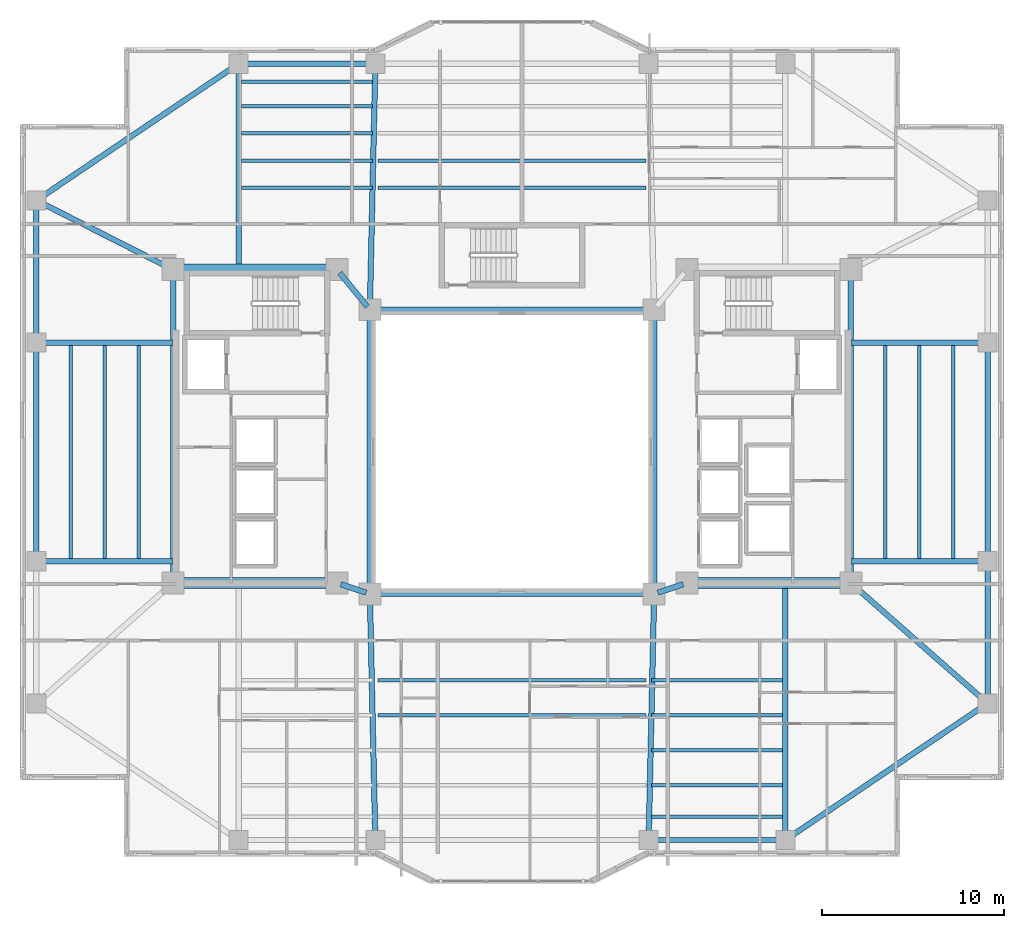
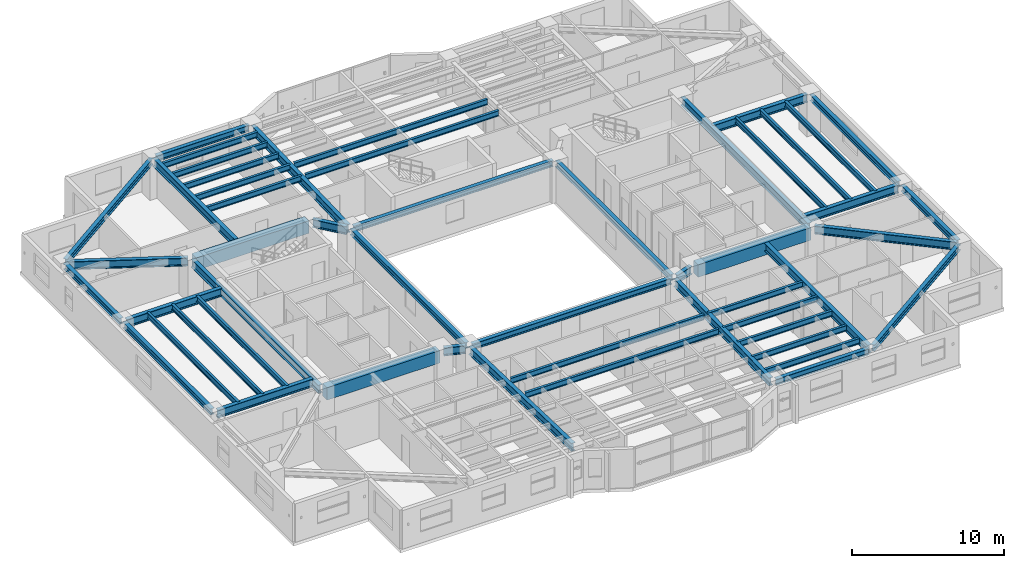
# One storey, part 3 of 18: 51 beams.
"""IFC4 building model written with IfcOpenShell, lengths in metres."""

from ifc_helpers import new_model, si_unit, direction, frame, origin, origin_2d, place, context, subcontext, project, spatial, rectangle, i_section, extrude, material, material_profile, profile_set, type_object, element, save


model = new_model("IFC4")

# Units and contexts
model_context = context("Model", 3, precision=1e-05, world=origin(), true_north=direction((0.0, 1.0)))
body_context = subcontext(model_context, "Body", "Model", "MODEL_VIEW")
ifc_project = project(units=[si_unit("LENGTHUNIT", "METRE"), si_unit("AREAUNIT", "SQUARE_METRE"), si_unit("VOLUMEUNIT", "CUBIC_METRE"), si_unit("PLANEANGLEUNIT", "RADIAN"), si_unit("MASSUNIT", "GRAM", prefix="KILO")], contexts=[model_context])

# Site, building, storey
site_placement = place(None, origin())
site = spatial("IfcSite", under=ifc_project, at=site_placement, CompositionType="ELEMENT")
building_placement = place(site_placement, origin())
building = spatial("IfcBuilding", under=site, at=building_placement, Name="Tarnavaz Court Tower", CompositionType="ELEMENT")
storey_placement = place(building_placement, frame((0.0, 0.0, 85.0)))
storey = spatial("IfcBuildingStorey", under=building, at=storey_placement, Name="L22", CompositionType="ELEMENT", Elevation=85.0)

# Beams
ifc_material_1 = material(Name="Concrete C60/75", Category="concrete")
ifc_material_profile_1 = material_profile(ifc_material_1, rectangle(XDim=0.60009765625, YDim=1.0, at=origin_2d()), Name="RC 600X1000")
ifc_profile_set_1 = profile_set([ifc_material_profile_1], Name="Concrete C60/75")
beam_type_1 = type_object("IfcBeamType", Name="BM-CB1000", PredefinedType="LINTEL", material=ifc_profile_set_1)
for number, where, z_axis, x_axis, name in (
    (1, (-18.3798828125, -7.199951171875, 2.60009765625), (1.0, 0.0, 0.0), (0.0, 1.0, 0.0), "L22 Beam IN-CW-SO-CW-SI"),
    (2, (-18.3798828125, 10.0, 2.60009765625), (1.0, 0.0, 0.0), (0.0, 1.0, 0.0), "L22 Beam IN-CW-NO-CW-NI"),
    (3, (18.3798828125, -7.199951171875, 2.60009765625), (-1.0, 0.0, 0.0), (0.0, -1.0, 0.0), "L22 Beam IN-CE-SO-CE-SI"),
):
    element("IfcBeam", number, at=place(storey_placement, frame(where, z_axis=z_axis, x_axis=x_axis)), inside=storey, type_object=beam_type_1, Name=name, PredefinedType="LINTEL", context=body_context, shape_type="SweptSolid", body=[
        extrude(rectangle(XDim=0.60009765625, YDim=1.0, at=origin_2d()), origin(), (0.0, 0.0, 1.0), 8.559814453125),
    ])
ifc_material_2 = material(Name="Steel S355", Category="steel")
ifc_material_profile_2 = material_profile(ifc_material_2, i_section(OverallWidth=0.300048828125, OverallDepth=0.64990234375, WebThickness=0.01611328125, FlangeThickness=0.031005859375, FilletRadius=0.027099609375, at=origin_2d()), Name="HEB 650")
ifc_profile_set_2 = profile_set([ifc_material_profile_2], Name="Steel S355")
beam_type_2 = type_object("IfcBeamType", Name="BM-G-HEB650", PredefinedType="USERDEFINED", material=ifc_profile_set_2)
for number, where, z_axis, x_axis, name in (
    (4, (-9.391357421875, -7.26953125, 2.77490234375), (0.948666544706, -0.316278021615, 0.0), (0.316278021615, 0.948666544706, 0.0), "L22 Beam IN-CW-SI-IW-SW"),
    (5, (9.391357421875, -7.26953125, 2.77490234375), (-0.948666544706, -0.316278021615, 0.0), (0.316278021615, -0.948666544706, 0.0), "L22 Beam IN-CE-SI-IW-SE"),
):
    element("IfcBeam", number, at=place(storey_placement, frame(where, z_axis=z_axis, x_axis=x_axis)), inside=storey, type_object=beam_type_2, Name=name, ObjectType="GIRDER", PredefinedType="USERDEFINED", context=body_context, shape_type="SweptSolid", body=[
        extrude(i_section(OverallWidth=0.300048828125, OverallDepth=0.64990234375, WebThickness=0.01611328125, FlangeThickness=0.031005859375, FilletRadius=0.027099609375, at=origin_2d()), origin(), (0.0, 0.0, 1.0), 1.457275390625),
    ])
beam_1_placement = place(storey_placement, frame((-9.460693359375, 9.82958984375, 2.77490234375), z_axis=(0.633282058357, -0.773921077735, 0.0), x_axis=(0.773921077735, 0.633282058357, 0.0)))
element("IfcBeam", 6, at=beam_1_placement, inside=storey, type_object=beam_type_2, Name="L22 Beam IN-CW-NI-IW-NW", ObjectType="GIRDER", PredefinedType="USERDEFINED", context=body_context, shape_type="SweptSolid", body=[
    extrude(i_section(OverallWidth=0.300048828125, OverallDepth=0.64990234375, WebThickness=0.01611328125, FlangeThickness=0.031005859375, FilletRadius=0.027099609375, at=origin_2d()), origin(), (0.0, 0.0, 1.0), 2.402587890625),
])
for number, where, z_axis, x_axis, name in (
    (7, (-18.60009765625, -6.97998046875, 2.77490234375), (0.0, 1.0, 0.0), (-1.0, 0.0, 0.0), "L22 Beam IN-CW-SO-CW-NO"),
    (8, (18.60009765625, -6.97998046875, 2.77490234375), (0.0, 1.0, 0.0), (-1.0, 0.0, 0.0), "L22 Beam IN-CE-SO-CE-NO"),
):
    element("IfcBeam", number, at=place(storey_placement, frame(where, z_axis=z_axis, x_axis=x_axis)), inside=storey, type_object=beam_type_2, Name=name, ObjectType="GIRDER", PredefinedType="USERDEFINED", context=body_context, shape_type="SweptSolid", body=[
        extrude(i_section(OverallWidth=0.300048828125, OverallDepth=0.64990234375, WebThickness=0.01611328125, FlangeThickness=0.031005859375, FilletRadius=0.027099609375, at=origin_2d()), origin(), (0.0, 0.0, 1.0), 16.760009765625),
    ])
beam_2_placement = place(storey_placement, frame((-15.0, 10.0400390625, 2.77490234375), z_axis=(0.0, 1.0, 0.0), x_axis=(-1.0, 0.0, 0.0)))
element("IfcBeam", 9, at=beam_2_placement, inside=storey, type_object=beam_type_2, Name="L22 Beam RG-01", ObjectType="GIRDER", PredefinedType="USERDEFINED", context=body_context, shape_type="SweptSolid", body=[
    extrude(i_section(OverallWidth=0.300048828125, OverallDepth=0.64990234375, WebThickness=0.01611328125, FlangeThickness=0.031005859375, FilletRadius=0.027099609375, at=origin_2d()), origin(), (0.0, 0.0, 1.0), 11.0400390625),
])
for number, where, z_axis, x_axis, name in (
    (10, (-7.795166015625, 8.02001953125, 2.77490234375), (0.022221303469, 0.99975307635, 0.0), (-0.99975307635, 0.022221303469, 0.0), "L22 Beam RG-02"),
    (11, (-7.795166015625, -8.02001953125, 2.77490234375), (0.022221303469, -0.99975307635, 0.0), (0.99975307635, 0.022221303469, 0.0), "L22 Beam RG-06"),
    (12, (7.795166015625, -8.02001953125, 2.77490234375), (-0.022221303469, -0.99975307635, 0.0), (0.99975307635, -0.022221303469, 0.0), "L22 Beam RG-07"),
):
    element("IfcBeam", number, at=place(storey_placement, frame(where, z_axis=z_axis, x_axis=x_axis)), inside=storey, type_object=beam_type_2, Name=name, ObjectType="GIRDER", PredefinedType="USERDEFINED", context=body_context, shape_type="SweptSolid", body=[
        extrude(i_section(OverallWidth=0.300048828125, OverallDepth=0.64990234375, WebThickness=0.01611328125, FlangeThickness=0.031005859375, FilletRadius=0.027099609375, at=origin_2d()), origin(), (0.0, 0.0, 1.0), 13.063232421875),
    ])
beam_3_placement = place(storey_placement, frame((15.0, -7.239990234375, 2.77490234375), z_axis=(0.0, -1.0, 0.0), x_axis=(1.0, 0.0, 0.0)))
element("IfcBeam", 13, at=beam_3_placement, inside=storey, type_object=beam_type_2, Name="L22 Beam RG-08", ObjectType="GIRDER", PredefinedType="USERDEFINED", context=body_context, shape_type="SweptSolid", body=[
    extrude(i_section(OverallWidth=0.300048828125, OverallDepth=0.64990234375, WebThickness=0.01611328125, FlangeThickness=0.031005859375, FilletRadius=0.027099609375, at=origin_2d()), origin(), (0.0, 0.0, 1.0), 13.840087890625),
])
for number, where, z_axis, x_axis, name in (
    (14, (18.639892578125, -6.0, 2.77490234375), (1.0, 0.0, 0.0), (0.0, 1.0, 0.0), "L22 Beam RG-09"),
    (15, (18.639892578125, 6.0, 2.77490234375), (1.0, 0.0, 0.0), (0.0, 1.0, 0.0), "L22 Beam RG-10"),
):
    element("IfcBeam", number, at=place(storey_placement, frame(where, z_axis=z_axis, x_axis=x_axis)), inside=storey, type_object=beam_type_2, Name=name, ObjectType="GIRDER", PredefinedType="USERDEFINED", context=body_context, shape_type="SweptSolid", body=[
        extrude(i_section(OverallWidth=0.300048828125, OverallDepth=0.64990234375, WebThickness=0.01611328125, FlangeThickness=0.031005859375, FilletRadius=0.027099609375, at=origin_2d()), origin(), (0.0, 0.0, 1.0), 7.239990234375),
    ])
beam_4_placement = place(storey_placement, frame((18.76513671875, -7.34521484375, 2.77490234375), z_axis=(0.750700332035, -0.660642877417, 0.0), x_axis=(0.660642877417, 0.750700332035, 0.0)))
element("IfcBeam", 16, at=beam_4_placement, inside=storey, type_object=beam_type_2, Name="L22 Beam RG-11", ObjectType="GIRDER", PredefinedType="USERDEFINED", context=body_context, shape_type="SweptSolid", body=[
    extrude(i_section(OverallWidth=0.300048828125, OverallDepth=0.64990234375, WebThickness=0.01611328125, FlangeThickness=0.031005859375, FilletRadius=0.027099609375, at=origin_2d()), origin(), (0.0, 0.0, 1.0), 9.550537109375),
])
for number, where, z_axis, x_axis, name in (
    (17, (-18.639892578125, -6.0, 2.77490234375), (-1.0, 0.0, 0.0), (0.0, -1.0, 0.0), "L22 Beam RG-13"),
    (18, (-18.639892578125, 6.0, 2.77490234375), (-1.0, 0.0, 0.0), (0.0, -1.0, 0.0), "L22 Beam RG-14"),
):
    element("IfcBeam", number, at=place(storey_placement, frame(where, z_axis=z_axis, x_axis=x_axis)), inside=storey, type_object=beam_type_2, Name=name, ObjectType="GIRDER", PredefinedType="USERDEFINED", context=body_context, shape_type="SweptSolid", body=[
        extrude(i_section(OverallWidth=0.300048828125, OverallDepth=0.64990234375, WebThickness=0.01611328125, FlangeThickness=0.031005859375, FilletRadius=0.027099609375, at=origin_2d()), origin(), (0.0, 0.0, 1.0), 7.239990234375),
    ])
beam_5_placement = place(storey_placement, frame((-18.796142578125, 10.099365234375, 2.77490234375), z_axis=(-0.892030669981, 0.451974870776, 0.0), x_axis=(-0.451974870776, -0.892030669981, 0.0)))
element("IfcBeam", 19, at=beam_5_placement, inside=storey, type_object=beam_type_2, Name="L22 Beam RG-16", ObjectType="GIRDER", PredefinedType="USERDEFINED", context=body_context, shape_type="SweptSolid", body=[
    extrude(i_section(OverallWidth=0.300048828125, OverallDepth=0.64990234375, WebThickness=0.01611328125, FlangeThickness=0.031005859375, FilletRadius=0.027099609375, at=origin_2d()), origin(), (0.0, 0.0, 1.0), 7.968017578125),
])
ifc_material_profile_3 = material_profile(ifc_material_2, i_section(OverallWidth=0.18994140625, OverallDepth=0.449951171875, WebThickness=0.009521484375, FlangeThickness=0.0146484375, FilletRadius=0.02099609375, at=origin_2d()), Name="IPE 450")
ifc_profile_set_3 = profile_set([ifc_material_profile_3], Name="Steel S355")
beam_type_3 = type_object("IfcBeamType", Name="BM-J-IPE450", PredefinedType="JOIST", material=ifc_profile_set_3)
beam_6_placement = place(storey_placement, frame((-14.85009765625, 14.493896484375, 2.875), z_axis=(1.0, 0.0, 0.0), x_axis=(0.0, 1.0, 0.0)))
element("IfcBeam", 20, at=beam_6_placement, inside=storey, type_object=beam_type_3, Name="L22 Beam JN1-1", PredefinedType="JOIST", context=body_context, shape_type="SweptSolid", body=[
    extrude(i_section(OverallWidth=0.18994140625, OverallDepth=0.449951171875, WebThickness=0.009521484375, FlangeThickness=0.0146484375, FilletRadius=0.02099609375, at=origin_2d()), origin(), (0.0, 0.0, 1.0), 7.2001953125),
])
for number, where, z_axis, x_axis, name in (
    (21, (-7.35009765625, 14.493896484375, 2.875), (1.0, 0.0, 0.0), (0.0, 1.0, 0.0), "L22 Beam JN1-2"),
    (22, (-7.35009765625, -12.52587890625, 2.875), (1.0, 0.0, 0.0), (0.0, 1.0, 0.0), "L22 Beam JS1-2"),
):
    element("IfcBeam", number, at=place(storey_placement, frame(where, z_axis=z_axis, x_axis=x_axis)), inside=storey, type_object=beam_type_3, Name=name, PredefinedType="JOIST", context=body_context, shape_type="SweptSolid", body=[
        extrude(i_section(OverallWidth=0.18994140625, OverallDepth=0.449951171875, WebThickness=0.009521484375, FlangeThickness=0.0146484375, FilletRadius=0.02099609375, at=origin_2d()), origin(), (0.0, 0.0, 1.0), 14.7001953125),
    ])
for number, where, z_axis, x_axis, name in (
    (23, (7.64990234375, -12.52587890625, 2.875), (1.0, 0.0, 0.0), (0.0, 1.0, 0.0), "L22 Beam JS1-3"),
    (24, (-14.85009765625, 15.988037109375, 2.875), (1.0, 0.0, 0.0), (0.0, 1.0, 0.0), "L22 Beam JN2-1"),
):
    element("IfcBeam", number, at=place(storey_placement, frame(where, z_axis=z_axis, x_axis=x_axis)), inside=storey, type_object=beam_type_3, Name=name, PredefinedType="JOIST", context=body_context, shape_type="SweptSolid", body=[
        extrude(i_section(OverallWidth=0.18994140625, OverallDepth=0.449951171875, WebThickness=0.009521484375, FlangeThickness=0.0146484375, FilletRadius=0.02099609375, at=origin_2d()), origin(), (0.0, 0.0, 1.0), 7.2001953125),
    ])
for number, where, z_axis, x_axis, name in (
    (25, (-7.35009765625, 15.988037109375, 2.875), (1.0, 0.0, 0.0), (0.0, 1.0, 0.0), "L22 Beam JN2-2"),
    (26, (-7.35009765625, -14.451904296875, 2.875), (1.0, 0.0, 0.0), (0.0, 1.0, 0.0), "L22 Beam JS2-2"),
):
    element("IfcBeam", number, at=place(storey_placement, frame(where, z_axis=z_axis, x_axis=x_axis)), inside=storey, type_object=beam_type_3, Name=name, PredefinedType="JOIST", context=body_context, shape_type="SweptSolid", body=[
        extrude(i_section(OverallWidth=0.18994140625, OverallDepth=0.449951171875, WebThickness=0.009521484375, FlangeThickness=0.0146484375, FilletRadius=0.02099609375, at=origin_2d()), origin(), (0.0, 0.0, 1.0), 14.7001953125),
    ])
for number, where, z_axis, x_axis, name in (
    (27, (7.64990234375, -14.451904296875, 2.875), (1.0, 0.0, 0.0), (0.0, 1.0, 0.0), "L22 Beam JS2-3"),
    (28, (-14.85009765625, 17.48193359375, 2.875), (1.0, 0.0, 0.0), (0.0, 1.0, 0.0), "L22 Beam JN3-1"),
    (29, (7.64990234375, -16.3779296875, 2.875), (1.0, 0.0, 0.0), (0.0, 1.0, 0.0), "L22 Beam JS3-3"),
    (30, (-14.85009765625, 18.97607421875, 2.875), (1.0, 0.0, 0.0), (0.0, 1.0, 0.0), "L22 Beam JN4-1"),
    (31, (7.64990234375, -18.303955078125, 2.875), (1.0, 0.0, 0.0), (0.0, 1.0, 0.0), "L22 Beam JS4-3"),
    (32, (-14.85009765625, 20.303955078125, 2.875), (1.0, 0.0, 0.0), (0.0, 1.0, 0.0), "L22 Beam JN5-1"),
    (33, (7.64990234375, -20.01611328125, 2.875), (1.0, 0.0, 0.0), (0.0, 1.0, 0.0), "L22 Beam JS5-3"),
):
    element("IfcBeam", number, at=place(storey_placement, frame(where, z_axis=z_axis, x_axis=x_axis)), inside=storey, type_object=beam_type_3, Name=name, PredefinedType="JOIST", context=body_context, shape_type="SweptSolid", body=[
        extrude(i_section(OverallWidth=0.18994140625, OverallDepth=0.449951171875, WebThickness=0.009521484375, FlangeThickness=0.0146484375, FilletRadius=0.02099609375, at=origin_2d()), origin(), (0.0, 0.0, 1.0), 7.2001953125),
    ])
for number, where, z_axis, x_axis, name in (
    (34, (20.47509765625, -5.9599609375, 2.875), (0.0, 1.0, 0.0), (-1.0, 0.0, 0.0), "L22 Beam JE1"),
    (35, (-20.47509765625, -5.9599609375, 2.875), (0.0, 1.0, 0.0), (-1.0, 0.0, 0.0), "L22 Beam JW1"),
    (36, (22.35009765625, -5.9599609375, 2.875), (0.0, 1.0, 0.0), (-1.0, 0.0, 0.0), "L22 Beam JE2"),
    (37, (-22.35009765625, -5.9599609375, 2.875), (0.0, 1.0, 0.0), (-1.0, 0.0, 0.0), "L22 Beam JW2"),
    (38, (24.22509765625, -5.9599609375, 2.875), (0.0, 1.0, 0.0), (-1.0, 0.0, 0.0), "L22 Beam JE3"),
    (39, (-24.22509765625, -5.9599609375, 2.875), (0.0, 1.0, 0.0), (-1.0, 0.0, 0.0), "L22 Beam JW3"),
):
    element("IfcBeam", number, at=place(storey_placement, frame(where, z_axis=z_axis, x_axis=x_axis)), inside=storey, type_object=beam_type_3, Name=name, PredefinedType="JOIST", context=body_context, shape_type="SweptSolid", body=[
        extrude(i_section(OverallWidth=0.18994140625, OverallDepth=0.449951171875, WebThickness=0.009521484375, FlangeThickness=0.0146484375, FilletRadius=0.02099609375, at=origin_2d()), origin(), (0.0, 0.0, 1.0), 11.919921875),
    ])
ifc_material_profile_4 = material_profile(ifc_material_2, i_section(OverallWidth=0.300048828125, OverallDepth=0.489990234375, WebThickness=0.011962890625, FlangeThickness=0.02294921875, FilletRadius=0.027099609375, at=origin_2d()), Name="HEA 500")
ifc_profile_set_4 = profile_set([ifc_material_profile_4], Name="Steel S355")
beam_type_4 = type_object("IfcBeamType", Name="BM-SP-HEA500", PredefinedType="SPANDREL", material=ifc_profile_set_4)
for number, where, z_axis, x_axis, name in (
    (40, (-7.580078125, -7.800048828125, 2.85498046875), (1.0, 0.0, 0.0), (0.0, 1.0, 0.0), "L22 Beam IN-IW-SW-IW-SE"),
    (41, (-7.580078125, 7.800048828125, 2.85498046875), (1.0, 0.0, 0.0), (0.0, 1.0, 0.0), "L22 Beam IN-IW-NW-IW-NE"),
    (42, (-7.800048828125, -7.580078125, 2.85498046875), (0.0, 1.0, 0.0), (-1.0, 0.0, 0.0), "L22 Beam IN-IW-SW-IW-NW"),
    (43, (7.800048828125, -7.580078125, 2.85498046875), (0.0, 1.0, 0.0), (-1.0, 0.0, 0.0), "L22 Beam IN-IW-SE-IW-NE"),
):
    element("IfcBeam", number, at=place(storey_placement, frame(where, z_axis=z_axis, x_axis=x_axis)), inside=storey, type_object=beam_type_4, Name=name, PredefinedType="SPANDREL", context=body_context, shape_type="SweptSolid", body=[
        extrude(i_section(OverallWidth=0.300048828125, OverallDepth=0.489990234375, WebThickness=0.011962890625, FlangeThickness=0.02294921875, FilletRadius=0.027099609375, at=origin_2d()), origin(), (0.0, 0.0, 1.0), 15.16015625),
    ])
for number, where, z_axis, x_axis, name in (
    (44, (-14.780029296875, 21.300048828125, 2.85498046875), (1.0, 0.0, 0.0), (0.0, 1.0, 0.0), "L22 Beam PR-PN-1-PN-2"),
    (45, (7.719970703125, -21.300048828125, 2.85498046875), (1.0, 0.0, 0.0), (0.0, 1.0, 0.0), "L22 Beam PR-PS-3-PS-4"),
):
    element("IfcBeam", number, at=place(storey_placement, frame(where, z_axis=z_axis, x_axis=x_axis)), inside=storey, type_object=beam_type_4, Name=name, PredefinedType="SPANDREL", context=body_context, shape_type="SweptSolid", body=[
        extrude(i_section(OverallWidth=0.300048828125, OverallDepth=0.489990234375, WebThickness=0.011962890625, FlangeThickness=0.02294921875, FilletRadius=0.027099609375, at=origin_2d()), origin(), (0.0, 0.0, 1.0), 7.06005859375),
    ])
beam_7_placement = place(storey_placement, frame((26.10009765625, -13.580078125, 2.85498046875), z_axis=(0.0, 1.0, 0.0), x_axis=(-1.0, 0.0, 0.0)))
element("IfcBeam", 46, at=beam_7_placement, inside=storey, type_object=beam_type_4, Name="L22 Beam PR-PE-1-PE-2", PredefinedType="SPANDREL", context=body_context, shape_type="SweptSolid", body=[
    extrude(i_section(OverallWidth=0.300048828125, OverallDepth=0.489990234375, WebThickness=0.011962890625, FlangeThickness=0.02294921875, FilletRadius=0.027099609375, at=origin_2d()), origin(), (0.0, 0.0, 1.0), 7.360107421875),
])
for number, where, z_axis, x_axis, name in (
    (47, (26.10009765625, -5.780029296875, 2.85498046875), (0.0, 1.0, 0.0), (-1.0, 0.0, 0.0), "L22 Beam PR-PE-2-PE-3"),
    (48, (-26.10009765625, -5.780029296875, 2.85498046875), (0.0, 1.0, 0.0), (-1.0, 0.0, 0.0), "L22 Beam PR-PW-2-PW-3"),
):
    element("IfcBeam", number, at=place(storey_placement, frame(where, z_axis=z_axis, x_axis=x_axis)), inside=storey, type_object=beam_type_4, Name=name, PredefinedType="SPANDREL", context=body_context, shape_type="SweptSolid", body=[
        extrude(i_section(OverallWidth=0.300048828125, OverallDepth=0.489990234375, WebThickness=0.011962890625, FlangeThickness=0.02294921875, FilletRadius=0.027099609375, at=origin_2d()), origin(), (0.0, 0.0, 1.0), 11.56005859375),
    ])
beam_8_placement = place(storey_placement, frame((-26.10009765625, 6.219970703125, 2.85498046875), z_axis=(0.0, 1.0, 0.0), x_axis=(-1.0, 0.0, 0.0)))
element("IfcBeam", 49, at=beam_8_placement, inside=storey, type_object=beam_type_4, Name="L22 Beam PR-PW-3-PW-4", PredefinedType="SPANDREL", context=body_context, shape_type="SweptSolid", body=[
    extrude(i_section(OverallWidth=0.300048828125, OverallDepth=0.489990234375, WebThickness=0.011962890625, FlangeThickness=0.02294921875, FilletRadius=0.027099609375, at=origin_2d()), origin(), (0.0, 0.0, 1.0), 7.360107421875),
])
for number, where, z_axis, x_axis, name in (
    (50, (25.917724609375, -13.923095703125, 2.85498046875), (-0.828587314918, -0.559859858854, 0.0), (0.559859858854, -0.828587314918, 0.0), "L22 Beam PR-PE-1-PS-4"),
    (51, (-25.917724609375, 13.923095703125, 2.85498046875), (0.828587314918, 0.559859858854, 0.0), (-0.559859858854, 0.828587314918, 0.0), "L22 Beam PR-PW-4-PN-1"),
):
    element("IfcBeam", number, at=place(storey_placement, frame(where, z_axis=z_axis, x_axis=x_axis)), inside=storey, type_object=beam_type_4, Name=name, PredefinedType="SPANDREL", context=body_context, shape_type="SweptSolid", body=[
        extrude(i_section(OverallWidth=0.300048828125, OverallDepth=0.489990234375, WebThickness=0.011962890625, FlangeThickness=0.02294921875, FilletRadius=0.027099609375, at=origin_2d()), origin(), (0.0, 0.0, 1.0), 12.956298828125),
    ])

save(model, "model.ifc")
